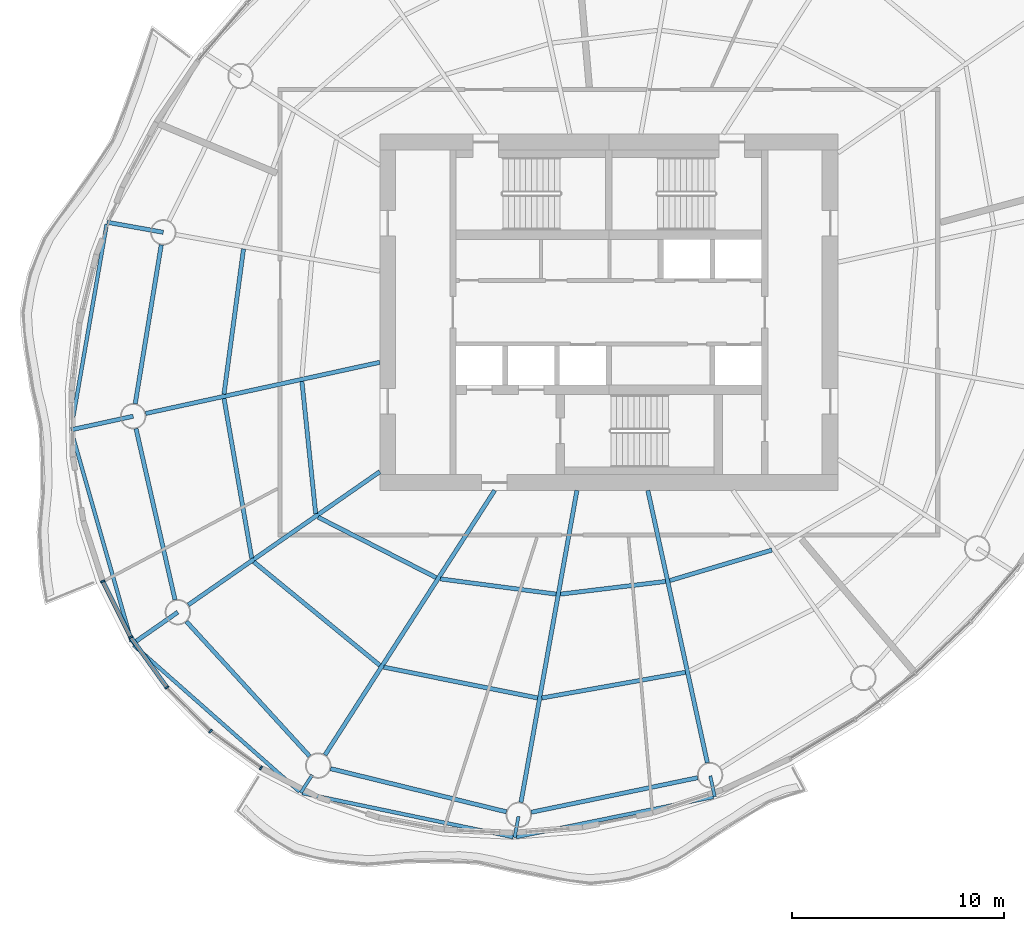
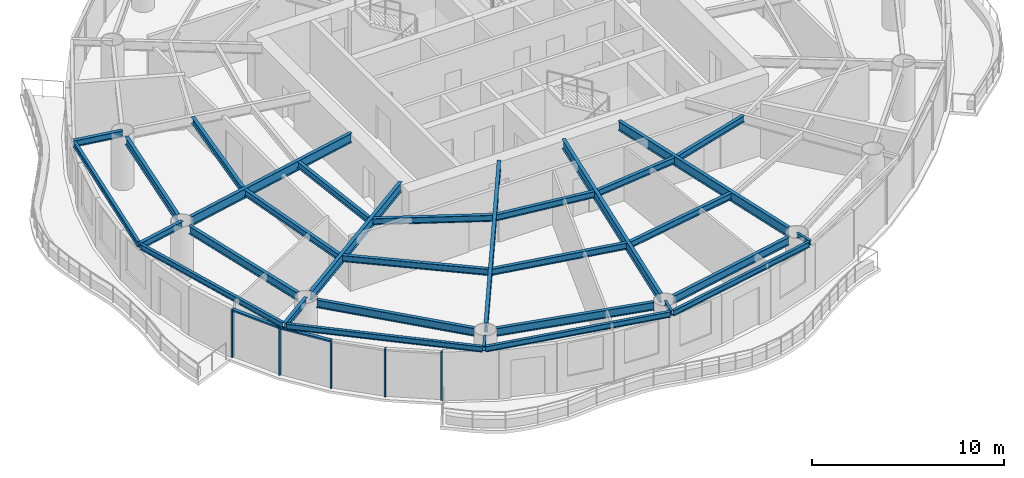
# One storey, part 2 of 14: 31 beams, 7 members, 4 elements without a shape of their own.
"""IFC4 building model written with IfcOpenShell, lengths in metres."""

from ifc_helpers import new_model, si_unit, direction, frame, origin, origin_2d, place, context, subcontext, project, spatial, rectangle, i_section, extrude, material, material_profile, profile_set, type_object, element, aggregate, save


model = new_model("IFC4")

# Units and contexts
model_context = context("Model", 3, precision=1e-05, world=origin(), true_north=direction((0.0, 1.0)))
body_context = subcontext(model_context, "Body", "Model", "MODEL_VIEW")
ifc_project = project(units=[si_unit("LENGTHUNIT", "METRE"), si_unit("AREAUNIT", "SQUARE_METRE"), si_unit("VOLUMEUNIT", "CUBIC_METRE"), si_unit("PLANEANGLEUNIT", "RADIAN"), si_unit("MASSUNIT", "GRAM", prefix="KILO")], contexts=[model_context])

# Site, building, storey
site_placement = place(None, origin())
site = spatial("IfcSite", under=ifc_project, at=site_placement, CompositionType="ELEMENT")
building_placement = place(site_placement, origin())
building = spatial("IfcBuilding", under=site, at=building_placement, Name="Vermilion Reach Broadcast Tower", CompositionType="ELEMENT")
storey_placement = place(building_placement, frame((0.0, 0.0, 195.699951171875)))
storey = spatial("IfcBuildingStorey", under=building, at=storey_placement, Name="L47", CompositionType="ELEMENT", Elevation=195.699951171875)

# Beams
ifc_material_1 = material(Name="Steel S355J2", Category="steel")
ifc_material_profile_1 = material_profile(ifc_material_1, i_section(OverallWidth=0.175048828125, OverallDepth=0.35009765625, WebThickness=0.007080078125, FlangeThickness=0.010986328125, at=origin_2d()), Name="S355J2 HN 350x175x7x11")
ifc_profile_set_1 = profile_set([ifc_material_profile_1], Name="Steel S355J2")
beam_type_1 = type_object("IfcBeamType", Name="EB4 HN 350x175x7x11", PredefinedType="BEAM", material=ifc_profile_set_1)
beam_1_placement = place(storey_placement, frame((-29.671875, 4.144775390625, 3.275146484375), z_axis=(-0.17112925856, -0.98524858633, 0.0), x_axis=(0.98524858633, -0.17112925856, 0.0)))
element("IfcBeam", 1, at=beam_1_placement, inside=storey, type_object=beam_type_1, Name="Edge beam EB4-06", PredefinedType="BEAM", context=body_context, shape_type="SweptSolid", body=[
    extrude(i_section(OverallWidth=0.175048828125, OverallDepth=0.35009765625, WebThickness=0.007080078125, FlangeThickness=0.010986328125, at=origin_2d()), origin(), (0.0, 0.0, 1.0), 9.72412109375),
])
beam_2_placement = place(storey_placement, frame((-31.326904296875, -5.638427734375, 3.275146484375), z_axis=(0.275141029007, -0.961403876712, 0.0), x_axis=(0.961403876712, 0.275141029007, 0.0)))
element("IfcBeam", 2, at=beam_2_placement, inside=storey, type_object=beam_type_1, Name="Edge beam EB4-07", PredefinedType="BEAM", context=body_context, shape_type="SweptSolid", body=[
    extrude(i_section(OverallWidth=0.175048828125, OverallDepth=0.35009765625, WebThickness=0.007080078125, FlangeThickness=0.010986328125, at=origin_2d()), origin(), (0.0, 0.0, 1.0), 10.28955078125),
])
beam_3_placement = place(storey_placement, frame((-28.3896484375, -15.700439453125, 3.275146484375), z_axis=(0.749330978074, -0.662195654847, 0.0), x_axis=(0.662195654847, 0.749330978074, 0.0)))
element("IfcBeam", 3, at=beam_3_placement, inside=storey, type_object=beam_type_1, Name="Edge beam EB4-08", PredefinedType="BEAM", context=body_context, shape_type="SweptSolid", body=[
    extrude(i_section(OverallWidth=0.175048828125, OverallDepth=0.35009765625, WebThickness=0.007080078125, FlangeThickness=0.010986328125, at=origin_2d()), origin(), (0.0, 0.0, 1.0), 10.420166015625),
])
beam_4_placement = place(storey_placement, frame((-20.4462890625, -22.667236328125, 3.275146484375), z_axis=(0.978954587218, -0.204078210904, 0.0), x_axis=(0.204078210904, 0.978954587218, 0.0)))
element("IfcBeam", 4, at=beam_4_placement, inside=storey, type_object=beam_type_1, Name="Edge beam EB4-09", PredefinedType="BEAM", context=body_context, shape_type="SweptSolid", body=[
    extrude(i_section(OverallWidth=0.175048828125, OverallDepth=0.35009765625, WebThickness=0.007080078125, FlangeThickness=0.010986328125, at=origin_2d()), origin(), (0.0, 0.0, 1.0), 10.14599609375),
])
beam_5_placement = place(storey_placement, frame((-10.361328125, -24.73681640625, 3.275146484375), z_axis=(0.979927784898, 0.19935279377, 0.0), x_axis=(-0.19935279377, 0.979927784898, 0.0)))
element("IfcBeam", 5, at=beam_5_placement, inside=storey, type_object=beam_type_1, Name="Edge beam EB4-10", PredefinedType="BEAM", context=body_context, shape_type="SweptSolid", body=[
    extrude(i_section(OverallWidth=0.175048828125, OverallDepth=0.35009765625, WebThickness=0.007080078125, FlangeThickness=0.010986328125, at=origin_2d()), origin(), (0.0, 0.0, 1.0), 9.46923828125),
])
ifc_material_2 = material(Name="Steel S355J2", Category="steel")
ifc_material_profile_2 = material_profile(ifc_material_2, i_section(OverallWidth=0.199951171875, OverallDepth=0.60009765625, WebThickness=0.010986328125, FlangeThickness=0.01708984375, at=origin_2d()), Name="S355J2 HN 600x200x11x17")
ifc_profile_set_2 = profile_set([ifc_material_profile_2], Name="Steel S355J2")
beam_type_2 = type_object("IfcBeamType", Name="G4 HN 600x200x11x17", PredefinedType="BEAM", material=ifc_profile_set_2)
beam_6_placement = place(storey_placement, frame((-16.800048828125, -2.360595703125, 3.150146484375), z_axis=(-0.976930175286, -0.213558967537, 0.0), x_axis=(0.213558967537, -0.976930175286, 0.0)))
element("IfcBeam", 6, at=beam_6_placement, inside=storey, type_object=beam_type_2, Name="Girder G4-07", PredefinedType="BEAM", context=body_context, shape_type="SweptSolid", body=[
    extrude(i_section(OverallWidth=0.199951171875, OverallDepth=0.60009765625, WebThickness=0.010986328125, FlangeThickness=0.01708984375, at=origin_2d()), origin(), (0.0, 0.0, 1.0), 11.29833984375),
])
beam_7_placement = place(storey_placement, frame((-16.800048828125, -7.5146484375, 3.150146484375), z_axis=(-0.820848627818, -0.571145804684, 0.0), x_axis=(0.571145804684, -0.820848627818, 0.0)))
element("IfcBeam", 7, at=beam_7_placement, inside=storey, type_object=beam_type_2, Name="Girder G4-08", PredefinedType="BEAM", context=body_context, shape_type="SweptSolid", body=[
    extrude(i_section(OverallWidth=0.199951171875, OverallDepth=0.60009765625, WebThickness=0.010986328125, FlangeThickness=0.01708984375, at=origin_2d()), origin(), (0.0, 0.0, 1.0), 10.99560546875),
])
beam_8_placement = place(storey_placement, frame((-11.386474609375, -8.39990234375, 3.150146484375), z_axis=(-0.539796447586, -0.84179557802, 0.0), x_axis=(0.84179557802, -0.539796447586, 0.0)))
element("IfcBeam", 8, at=beam_8_placement, inside=storey, type_object=beam_type_2, Name="Girder G4-09", PredefinedType="BEAM", context=body_context, shape_type="SweptSolid", body=[
    extrude(i_section(OverallWidth=0.199951171875, OverallDepth=0.60009765625, WebThickness=0.010986328125, FlangeThickness=0.01708984375, at=origin_2d()), origin(), (0.0, 0.0, 1.0), 14.8076171875),
])
beam_9_placement = place(storey_placement, frame((-7.5068359375, -8.39990234375, 3.150146484375), z_axis=(-0.176574729047, -0.984287237072, 0.0), x_axis=(0.984287237072, -0.176574729047, 0.0)))
element("IfcBeam", 9, at=beam_9_placement, inside=storey, type_object=beam_type_2, Name="Girder G4-10", PredefinedType="BEAM", context=body_context, shape_type="SweptSolid", body=[
    extrude(i_section(OverallWidth=0.199951171875, OverallDepth=0.60009765625, WebThickness=0.010986328125, FlangeThickness=0.01708984375, at=origin_2d()), origin(), (0.0, 0.0, 1.0), 14.935302734375),
])
beam_10_placement = place(storey_placement, frame((-4.163818359375, -8.39990234375, 3.150146484375), z_axis=(0.213538346548, -0.976934682849, 0.0), x_axis=(0.976934682849, 0.213538346548, 0.0)))
element("IfcBeam", 10, at=beam_10_placement, inside=storey, type_object=beam_type_2, Name="Girder G4-11", PredefinedType="BEAM", context=body_context, shape_type="SweptSolid", body=[
    extrude(i_section(OverallWidth=0.199951171875, OverallDepth=0.60009765625, WebThickness=0.010986328125, FlangeThickness=0.01708984375, at=origin_2d()), origin(), (0.0, 0.0, 1.0), 13.135498046875),
])
ifc_material_3 = material(Name="Steel S355J2", Category="steel")
ifc_material_profile_3 = material_profile(ifc_material_3, i_section(OverallWidth=0.199951171875, OverallDepth=0.39990234375, WebThickness=0.008056640625, FlangeThickness=0.012939453125, at=origin_2d()), Name="S355J2 HN 400x200x8x13")
ifc_profile_set_3 = profile_set([ifc_material_profile_3], Name="Steel S355J2")
beam_type_3 = type_object("IfcBeamType", Name="GC4 HN 400x200x8x13", PredefinedType="BEAM", material=ifc_profile_set_3)
beam_11_placement = place(storey_placement, frame((-27.002685546875, 3.767578125, 3.25), z_axis=(-0.984283324325, 0.176596538627, 0.0), x_axis=(-0.176596538627, -0.984283324325, 0.0)))
element("IfcBeam", 11, at=beam_11_placement, inside=storey, type_object=beam_type_3, Name="Cantilever girder GC4-06", PredefinedType="BEAM", context=body_context, shape_type="SweptSolid", body=[
    extrude(i_section(OverallWidth=0.199951171875, OverallDepth=0.39990234375, WebThickness=0.008056640625, FlangeThickness=0.012939453125, at=origin_2d()), origin(), (0.0, 0.0, 1.0), 2.6943359375),
])
beam_12_placement = place(storey_placement, frame((-28.423828125, -4.9013671875, 3.25), z_axis=(-0.976931862294, -0.213551250138, 0.0), x_axis=(0.213551250138, -0.976931862294, 0.0)))
element("IfcBeam", 12, at=beam_12_placement, inside=storey, type_object=beam_type_3, Name="Cantilever girder GC4-07", PredefinedType="BEAM", context=body_context, shape_type="SweptSolid", body=[
    extrude(i_section(OverallWidth=0.199951171875, OverallDepth=0.39990234375, WebThickness=0.008056640625, FlangeThickness=0.012939453125, at=origin_2d()), origin(), (0.0, 0.0, 1.0), 2.999755859375),
])
beam_13_placement = place(storey_placement, frame((-26.318115234375, -14.13720703125, 3.25), z_axis=(-0.820836760996, -0.571162859259, 0.0), x_axis=(0.571162859259, -0.820836760996, 0.0)))
element("IfcBeam", 13, at=beam_13_placement, inside=storey, type_object=beam_type_3, Name="Cantilever girder GC4-08", PredefinedType="BEAM", context=body_context, shape_type="SweptSolid", body=[
    extrude(i_section(OverallWidth=0.199951171875, OverallDepth=0.39990234375, WebThickness=0.008056640625, FlangeThickness=0.012939453125, at=origin_2d()), origin(), (0.0, 0.0, 1.0), 2.61767578125),
])
ifc_material_4 = material(Name="Steel S355J2", Category="steel")
ifc_material_profile_4 = material_profile(ifc_material_4, i_section(OverallWidth=0.14990234375, OverallDepth=0.300048828125, WebThickness=0.006591796875, FlangeThickness=0.009033203125, at=origin_2d()), Name="S355J2 HN 300x150x6.5x9")
ifc_profile_set_4 = profile_set([ifc_material_profile_4], Name="Steel S355J2")
beam_type_4 = type_object("IfcBeamType", Name="GS4 HN 300x150x6.5x9", PredefinedType="BEAM", material=ifc_profile_set_4)
beam_14_placement = place(storey_placement, frame((-19.98486328125, -21.808837890625, 3.300048828125), z_axis=(-0.539967746168, -0.841685709216, 0.0), x_axis=(0.841685709216, -0.539967746168, 0.0)))
element("IfcBeam", 14, at=beam_14_placement, inside=storey, type_object=beam_type_4, Name="Cantilever stub GS4-09", PredefinedType="BEAM", context=body_context, shape_type="SweptSolid", body=[
    extrude(i_section(OverallWidth=0.14990234375, OverallDepth=0.300048828125, WebThickness=0.006591796875, FlangeThickness=0.009033203125, at=origin_2d()), origin(), (0.0, 0.0, 1.0), 1.000244140625),
])
beam_15_placement = place(storey_placement, frame((-10.263916015625, -23.768798828125, 3.300048828125), z_axis=(-0.176542748677, -0.984292973606, 0.0), x_axis=(0.984292973606, -0.176542748677, 0.0)))
element("IfcBeam", 15, at=beam_15_placement, inside=storey, type_object=beam_type_4, Name="Cantilever stub GS4-10", PredefinedType="BEAM", context=body_context, shape_type="SweptSolid", body=[
    extrude(i_section(OverallWidth=0.14990234375, OverallDepth=0.300048828125, WebThickness=0.006591796875, FlangeThickness=0.009033203125, at=origin_2d()), origin(), (0.0, 0.0, 1.0), 0.999755859375),
])
beam_16_placement = place(storey_placement, frame((-1.222412109375, -21.857177734375, 3.300048828125), z_axis=(0.213594957215, -0.976922307173, 0.0), x_axis=(0.976922307173, 0.213594957215, 0.0)))
element("IfcBeam", 16, at=beam_16_placement, inside=storey, type_object=beam_type_4, Name="Cantilever stub GS4-11", PredefinedType="BEAM", context=body_context, shape_type="SweptSolid", body=[
    extrude(i_section(OverallWidth=0.14990234375, OverallDepth=0.300048828125, WebThickness=0.006591796875, FlangeThickness=0.009033203125, at=origin_2d()), origin(), (0.0, 0.0, 1.0), 1.000244140625),
])
ifc_material_5 = material(Name="Steel S355J2", Category="steel")
ifc_material_profile_5 = material_profile(ifc_material_5, i_section(OverallWidth=0.199951171875, OverallDepth=0.5, WebThickness=0.010009765625, FlangeThickness=0.01611328125, at=origin_2d()), Name="S355J2 HN 500x200x10x16")
ifc_profile_set_5 = profile_set([ifc_material_profile_5], Name="Steel S355J2")
beam_type_5 = type_object("IfcBeamType", Name="RB4 HN 500x200x10x16", PredefinedType="BEAM", material=ifc_profile_set_5)
beam_17_placement = place(storey_placement, frame((-27.099609375, 3.175537109375, 3.199951171875), z_axis=(-0.161778110263, -0.986827159659, 0.0), x_axis=(0.986827159659, -0.161778110263, 0.0)))
element("IfcBeam", 17, at=beam_17_placement, inside=storey, type_object=beam_type_5, Name="Ring beam RB4-06", PredefinedType="BEAM", context=body_context, shape_type="SweptSolid", body=[
    extrude(i_section(OverallWidth=0.199951171875, OverallDepth=0.5, WebThickness=0.010009765625, FlangeThickness=0.01611328125, at=origin_2d()), origin(), (0.0, 0.0, 1.0), 7.584716796875),
])
beam_18_placement = place(storey_placement, frame((-28.290283203125, -5.486572265625, 3.199951171875), z_axis=(0.222283068275, -0.974982172944, 0.0), x_axis=(0.974982172944, 0.222283068275, 0.0)))
element("IfcBeam", 18, at=beam_18_placement, inside=storey, type_object=beam_type_5, Name="Ring beam RB4-07", PredefinedType="BEAM", context=body_context, shape_type="SweptSolid", body=[
    extrude(i_section(OverallWidth=0.199951171875, OverallDepth=0.5, WebThickness=0.010009765625, FlangeThickness=0.01611328125, at=origin_2d()), origin(), (0.0, 0.0, 1.0), 8.272705078125),
])
beam_19_placement = place(storey_placement, frame((-25.9130859375, -14.580078125, 3.199951171875), z_axis=(0.674868141417, -0.737938338684, 0.0), x_axis=(0.737938338684, 0.674868141417, 0.0)))
element("IfcBeam", 19, at=beam_19_placement, inside=storey, type_object=beam_type_5, Name="Ring beam RB4-08", PredefinedType="BEAM", context=body_context, shape_type="SweptSolid", body=[
    extrude(i_section(OverallWidth=0.199951171875, OverallDepth=0.5, WebThickness=0.010009765625, FlangeThickness=0.01611328125, at=origin_2d()), origin(), (0.0, 0.0, 1.0), 8.601318359375),
])
beam_20_placement = place(storey_placement, frame((-19.120849609375, -21.51318359375, 3.199951171875), z_axis=(0.971158622271, -0.238434331398, 0.0), x_axis=(0.238434331398, 0.971158622271, 0.0)))
element("IfcBeam", 20, at=beam_20_placement, inside=storey, type_object=beam_type_5, Name="Ring beam RB4-09", PredefinedType="BEAM", context=body_context, shape_type="SweptSolid", body=[
    extrude(i_section(OverallWidth=0.199951171875, OverallDepth=0.5, WebThickness=0.010009765625, FlangeThickness=0.01611328125, at=origin_2d()), origin(), (0.0, 0.0, 1.0), 8.534423828125),
])
beam_21_placement = place(storey_placement, frame((-9.662353515625, -23.569091796875, 3.199951171875), z_axis=(0.97912342484, 0.203266620302, 0.0), x_axis=(-0.203266620302, 0.97912342484, 0.0)))
element("IfcBeam", 21, at=beam_21_placement, inside=storey, type_object=beam_type_5, Name="Ring beam RB4-10", PredefinedType="BEAM", context=body_context, shape_type="SweptSolid", body=[
    extrude(i_section(OverallWidth=0.199951171875, OverallDepth=0.5, WebThickness=0.010009765625, FlangeThickness=0.01611328125, at=origin_2d()), origin(), (0.0, 0.0, 1.0), 8.01123046875),
])
ifc_material_6 = material(Name="Steel S355J2", Category="steel")
ifc_material_profile_6 = material_profile(ifc_material_6, i_section(OverallWidth=0.199951171875, OverallDepth=0.39990234375, WebThickness=0.008056640625, FlangeThickness=0.012939453125, at=origin_2d()), Name="S355J2 HN 400x200x8x13")
ifc_profile_set_6 = profile_set([ifc_material_profile_6], Name="Steel S355J2")
beam_type_6 = type_object("IfcBeamType", Name="SB4 HN 400x200x8x13", PredefinedType="BEAM", material=ifc_profile_set_6)
beam_22_placement = place(storey_placement, frame((-23.221435546875, 2.98779296875, 3.25), z_axis=(-0.133486718782, -0.991050602093, 0.0), x_axis=(0.991050602093, -0.133486718782, 0.0)))
element("IfcBeam", 22, at=beam_22_placement, inside=storey, type_object=beam_type_6, Name="Secondary beam SB4-06-2", PredefinedType="BEAM", context=body_context, shape_type="SweptSolid", body=[
    extrude(i_section(OverallWidth=0.199951171875, OverallDepth=0.39990234375, WebThickness=0.008056640625, FlangeThickness=0.012939453125, at=origin_2d()), origin(), (0.0, 0.0, 1.0), 6.913330078125),
])
beam_23_placement = place(storey_placement, frame((-20.46875, -3.264892578125, 3.25), z_axis=(0.103532173355, -0.994626105167, 0.0), x_axis=(0.994626105167, 0.103532173355, 0.0)))
element("IfcBeam", 23, at=beam_23_placement, inside=storey, type_object=beam_type_6, Name="Secondary beam SB4-07-1", PredefinedType="BEAM", context=body_context, shape_type="SweptSolid", body=[
    extrude(i_section(OverallWidth=0.199951171875, OverallDepth=0.39990234375, WebThickness=0.008056640625, FlangeThickness=0.012939453125, at=origin_2d()), origin(), (0.0, 0.0, 1.0), 6.26318359375),
])
beam_24_placement = place(storey_placement, frame((-24.141357421875, -4.067626953125, 3.25), z_axis=(0.170926997669, -0.985283695931, 0.0), x_axis=(0.985283695931, 0.170926997669, 0.0)))
element("IfcBeam", 24, at=beam_24_placement, inside=storey, type_object=beam_type_6, Name="Secondary beam SB4-07-2", PredefinedType="BEAM", context=body_context, shape_type="SweptSolid", body=[
    extrude(i_section(OverallWidth=0.199951171875, OverallDepth=0.39990234375, WebThickness=0.008056640625, FlangeThickness=0.012939453125, at=origin_2d()), origin(), (0.0, 0.0, 1.0), 7.63720703125),
])
beam_25_placement = place(storey_placement, frame((-19.707763671875, -9.659423828125, 3.25), z_axis=(0.89015575218, -0.455656380249, 0.0), x_axis=(0.455656380249, 0.89015575218, 0.0)))
element("IfcBeam", 25, at=beam_25_placement, inside=storey, type_object=beam_type_6, Name="Secondary beam SB4-08-1", PredefinedType="BEAM", context=body_context, shape_type="SweptSolid", body=[
    extrude(i_section(OverallWidth=0.199951171875, OverallDepth=0.39990234375, WebThickness=0.008056640625, FlangeThickness=0.012939453125, at=origin_2d()), origin(), (0.0, 0.0, 1.0), 6.25439453125),
])
beam_26_placement = place(storey_placement, frame((-22.73681640625, -11.76708984375, 3.25), z_axis=(0.772952000494, -0.6344645025, 0.0), x_axis=(0.6344645025, 0.772952000494, 0.0)))
element("IfcBeam", 26, at=beam_26_placement, inside=storey, type_object=beam_type_6, Name="Secondary beam SB4-08-2", PredefinedType="BEAM", context=body_context, shape_type="SweptSolid", body=[
    extrude(i_section(OverallWidth=0.199951171875, OverallDepth=0.39990234375, WebThickness=0.008056640625, FlangeThickness=0.012939453125, at=origin_2d()), origin(), (0.0, 0.0, 1.0), 7.689697265625),
])
beam_27_placement = place(storey_placement, frame((-13.94140625, -12.5693359375, 3.25), z_axis=(0.991458070019, -0.130425823341, 0.0), x_axis=(0.130425823341, 0.991458070019, 0.0)))
element("IfcBeam", 27, at=beam_27_placement, inside=storey, type_object=beam_type_6, Name="Secondary beam SB4-09-1", PredefinedType="BEAM", context=body_context, shape_type="SweptSolid", body=[
    extrude(i_section(OverallWidth=0.199951171875, OverallDepth=0.39990234375, WebThickness=0.008056640625, FlangeThickness=0.012939453125, at=origin_2d()), origin(), (0.0, 0.0, 1.0), 5.50341796875),
])
beam_28_placement = place(storey_placement, frame((-16.60986328125, -16.73095703125, 3.25), z_axis=(0.9805717807, -0.196160604851, 0.0), x_axis=(0.196160604851, 0.9805717807, 0.0)))
element("IfcBeam", 28, at=beam_28_placement, inside=storey, type_object=beam_type_6, Name="Secondary beam SB4-09-2", PredefinedType="BEAM", context=body_context, shape_type="SweptSolid", body=[
    extrude(i_section(OverallWidth=0.199951171875, OverallDepth=0.39990234375, WebThickness=0.008056640625, FlangeThickness=0.012939453125, at=origin_2d()), origin(), (0.0, 0.0, 1.0), 7.390380859375),
])
beam_29_placement = place(storey_placement, frame((-8.281982421875, -13.28759765625, 3.25), z_axis=(0.99278788328, 0.119884189168, 0.0), x_axis=(-0.119884189168, 0.99278788328, 0.0)))
element("IfcBeam", 29, at=beam_29_placement, inside=storey, type_object=beam_type_6, Name="Secondary beam SB4-10-1", PredefinedType="BEAM", context=body_context, shape_type="SweptSolid", body=[
    extrude(i_section(OverallWidth=0.199951171875, OverallDepth=0.39990234375, WebThickness=0.008056640625, FlangeThickness=0.012939453125, at=origin_2d()), origin(), (0.0, 0.0, 1.0), 4.9892578125),
])
beam_30_placement = place(storey_placement, frame((-9.159912109375, -18.181640625, 3.25), z_axis=(0.984415281892, 0.175859468829, 0.0), x_axis=(-0.175859468829, 0.984415281892, 0.0)))
element("IfcBeam", 30, at=beam_30_placement, inside=storey, type_object=beam_type_6, Name="Secondary beam SB4-10-2", PredefinedType="BEAM", context=body_context, shape_type="SweptSolid", body=[
    extrude(i_section(OverallWidth=0.199951171875, OverallDepth=0.39990234375, WebThickness=0.008056640625, FlangeThickness=0.012939453125, at=origin_2d()), origin(), (0.0, 0.0, 1.0), 6.874755859375),
])
beam_31_placement = place(storey_placement, frame((-3.1328125, -12.64892578125, 3.25), z_axis=(0.958173460215, 0.28618808525, 0.0), x_axis=(-0.28618808525, 0.958173460215, 0.0)))
element("IfcBeam", 31, at=beam_31_placement, inside=storey, type_object=beam_type_6, Name="Secondary beam SB4-11-1", PredefinedType="BEAM", context=body_context, shape_type="SweptSolid", body=[
    extrude(i_section(OverallWidth=0.199951171875, OverallDepth=0.39990234375, WebThickness=0.008056640625, FlangeThickness=0.012939453125, at=origin_2d()), origin(), (0.0, 0.0, 1.0), 5.02197265625),
])

# Curtain wall, member
ifc_material_7 = material(Name="Low-e laminated clear glass in aluminium frame", Category="aluminium")
curtain_wall_type = type_object("IfcCurtainWallType", Name="Slot curtain wall", PredefinedType="NOTDEFINED", material=ifc_material_7)
placement = place(storey_placement, origin())
curtain_wall_1 = element("IfcCurtainWall", 32, at=placement, inside=storey, type_object=curtain_wall_type, Name="Slot curtain wall L47 22", PredefinedType="NOTDEFINED")
ifc_material_8 = material(Name="Anodised aluminium", Category="aluminium")
ifc_material_profile_7 = material_profile(ifc_material_8, rectangle(XDim=0.199951171875, YDim=0.080078125, at=origin_2d()), Name="Slot mullion 80 x 200")
ifc_profile_set_7 = profile_set([ifc_material_profile_7], Name="Anodised aluminium")
member_type_1 = type_object("IfcMemberType", Name="Slot mullion 80 x 200", PredefinedType="MULLION", material=ifc_profile_set_7)
member_1_placement = place(storey_placement, frame((-29.8583984375, -12.685546875, 0.0), z_axis=(0.0, 0.0, 1.0), x_axis=(0.925563320286, 0.378592842167, 0.0)))
member_1 = element("IfcMember", 33, at=member_1_placement, type_object=member_type_1, Name="Slot mullion L47 22", PredefinedType="MULLION", context=body_context, shape_type="SweptSolid", body=[
    extrude(rectangle(XDim=0.199951171875, YDim=0.080078125, at=origin_2d()), origin(), (0.0, 0.0, 1.0), 3.050048828125),
])

curtain_wall_2 = element("IfcCurtainWall", 34, at=placement, inside=storey, type_object=curtain_wall_type, Name="Slot curtain wall L47 23", PredefinedType="NOTDEFINED")
member_2_placement = place(storey_placement, frame((-28.537841796875, -15.31396484375, 0.0), z_axis=(0.0, 0.0, 1.0), x_axis=(0.855263727672, 0.518192971903, 0.0)))
member_2 = element("IfcMember", 35, at=member_2_placement, type_object=member_type_1, Name="Slot mullion L47 23", PredefinedType="MULLION", context=body_context, shape_type="SweptSolid", body=[
    extrude(rectangle(XDim=0.199951171875, YDim=0.080078125, at=origin_2d()), origin(), (0.0, 0.0, 1.0), 3.050048828125),
])

curtain_wall_3 = element("IfcCurtainWall", 36, at=placement, inside=storey, type_object=curtain_wall_type, Name="Slot curtain wall L47 24", PredefinedType="NOTDEFINED")
member_3_placement = place(storey_placement, frame((-26.833984375, -17.68115234375, 0.0), z_axis=(0.0, 0.0, 1.0), x_axis=(0.762442530741, 0.647055938322, 0.0)))
member_3 = element("IfcMember", 37, at=member_3_placement, type_object=member_type_1, Name="Slot mullion L47 24", PredefinedType="MULLION", context=body_context, shape_type="SweptSolid", body=[
    extrude(rectangle(XDim=0.199951171875, YDim=0.080078125, at=origin_2d()), origin(), (0.0, 0.0, 1.0), 3.050048828125),
])
aggregate(curtain_wall_3, [member_3])

# Curtain wall, members
curtain_wall_4 = element("IfcCurtainWall", 38, at=placement, inside=storey, type_object=curtain_wall_type, Name="Slot curtain wall L47 25", PredefinedType="NOTDEFINED")
member_4_placement = place(storey_placement, frame((-24.775634765625, -19.7470703125, 0.0), z_axis=(0.0, 0.0, 1.0), x_axis=(0.650391347688, 0.759599298876, 0.0)))
member_4 = element("IfcMember", 39, at=member_4_placement, type_object=member_type_1, Name="Slot mullion L47 25", PredefinedType="MULLION", context=body_context, shape_type="SweptSolid", body=[
    extrude(rectangle(XDim=0.199951171875, YDim=0.080078125, at=origin_2d()), origin(), (0.0, 0.0, 1.0), 3.050048828125),
])
member_5_placement = place(storey_placement, frame((-22.39697265625, -21.477783203125, 0.0), z_axis=(0.0, 0.0, 1.0), x_axis=(0.524083236941, 0.851667048064, 0.0)))
member_5 = element("IfcMember", 40, at=member_5_placement, type_object=member_type_1, Name="Slot mullion L47 26", PredefinedType="MULLION", context=body_context, shape_type="SweptSolid", body=[
    extrude(rectangle(XDim=0.199951171875, YDim=0.080078125, at=origin_2d()), origin(), (0.0, 0.0, 1.0), 3.050048828125),
])
aggregate(curtain_wall_4, [member_4, member_5])

# Member
ifc_material_9 = material(Name="Anodised aluminium", Category="aluminium")
ifc_material_profile_8 = material_profile(ifc_material_9, rectangle(XDim=0.199951171875, YDim=0.10009765625, at=origin_2d()), Name="Slot transom 200 x 100")
ifc_profile_set_8 = profile_set([ifc_material_profile_8], Name="Anodised aluminium")
member_type_2 = type_object("IfcMemberType", Name="Slot transom 200 x 100", PredefinedType="USERDEFINED", material=ifc_profile_set_8)
member_6_placement = place(storey_placement, frame((-29.840576171875, -12.72119140625, 3.0), z_axis=(0.448919049519, -0.893572429621, 0.0), x_axis=(0.893572429621, 0.448919049519, 0.0)))
member_6 = element("IfcMember", 41, at=member_6_placement, type_object=member_type_2, Name="Slot transom L47 22.1", ObjectType="TRANSOM", PredefinedType="USERDEFINED", context=body_context, shape_type="SweptSolid", body=[
    extrude(rectangle(XDim=0.199951171875, YDim=0.10009765625, at=origin_2d()), origin(), (0.0, 0.0, 1.0), 2.861572265625),
])

aggregate(curtain_wall_1, [member_1, member_6])

member_7_placement = place(storey_placement, frame((-28.514404296875, -15.346435546875, 3.0), z_axis=(0.584157336011, -0.811640441812, 0.0), x_axis=(0.811640441812, 0.584157336011, 0.0)))
member_7 = element("IfcMember", 42, at=member_7_placement, type_object=member_type_2, Name="Slot transom L47 23.1", ObjectType="TRANSOM", PredefinedType="USERDEFINED", context=body_context, shape_type="SweptSolid", body=[
    extrude(rectangle(XDim=0.199951171875, YDim=0.10009765625, at=origin_2d()), origin(), (0.0, 0.0, 1.0), 2.83642578125),
])

aggregate(curtain_wall_2, [member_2, member_7])

save(model, "model.ifc")
